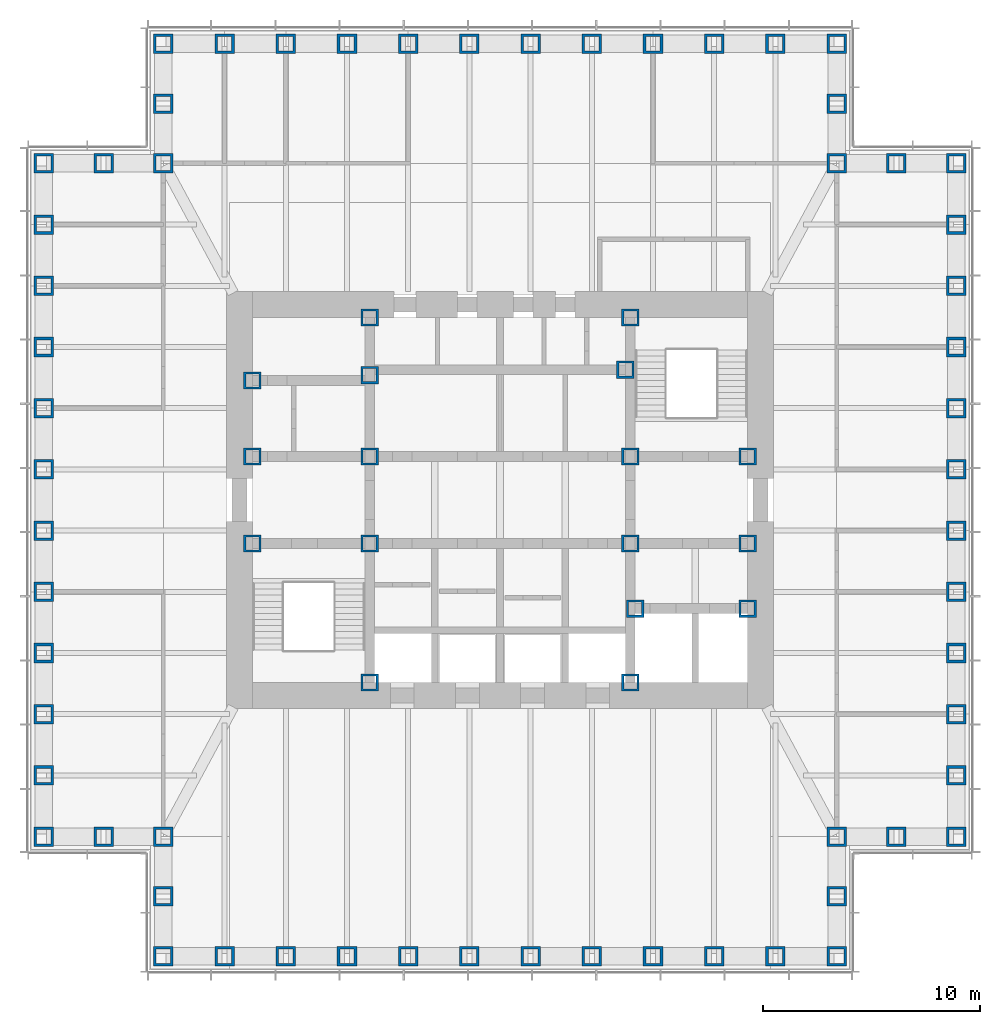
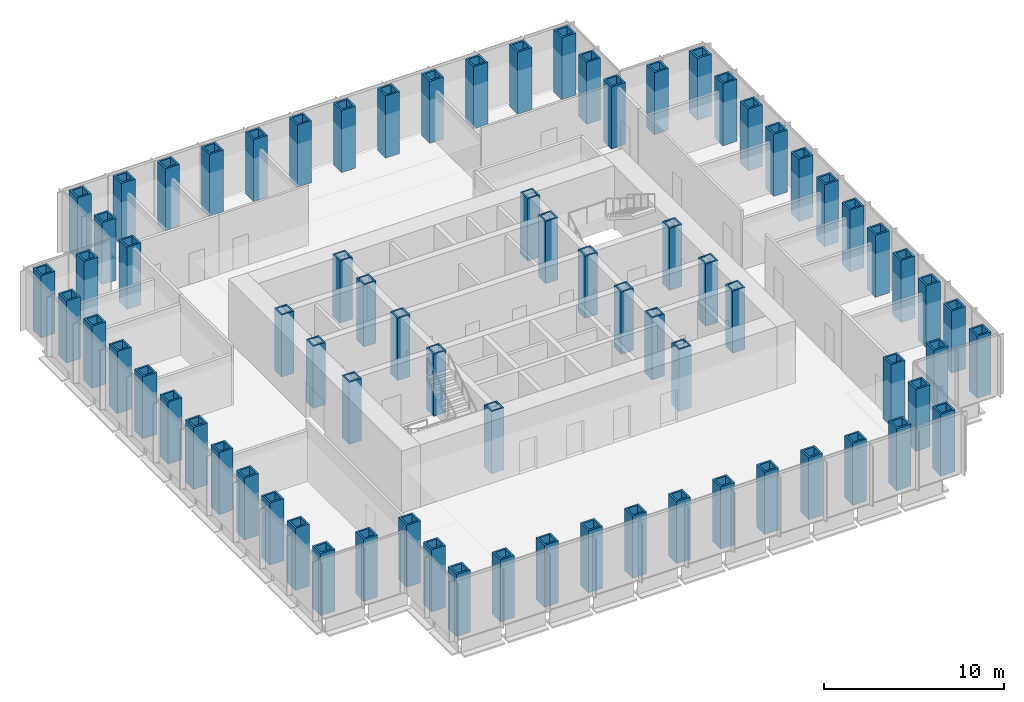
# One storey, part 1 of 16: 77 columns.
"""IFC4 building model written with IfcOpenShell, lengths in metres."""

from ifc_helpers import new_model, si_unit, direction, frame, origin, origin_2d, place, context, subcontext, project, spatial, hollow_rectangle, extrude, material, material_profile, profile_set, type_object, element, save


model = new_model("IFC4")

# Units and contexts
model_context = context("Model", 3, precision=1e-05, world=origin(), true_north=direction((0.0, 1.0)))
body_context = subcontext(model_context, "Body", "Model", "MODEL_VIEW")
ifc_project = project(units=[si_unit("LENGTHUNIT", "METRE"), si_unit("AREAUNIT", "SQUARE_METRE"), si_unit("VOLUMEUNIT", "CUBIC_METRE"), si_unit("PLANEANGLEUNIT", "RADIAN"), si_unit("MASSUNIT", "GRAM", prefix="KILO")], contexts=[model_context])

# Site, building, storey
site_placement = place(None, origin())
site = spatial("IfcSite", under=ifc_project, at=site_placement, CompositionType="ELEMENT")
building_placement = place(site_placement, origin())
building = spatial("IfcBuilding", under=site, at=building_placement, Name="Daluyong Arena Tower", CompositionType="ELEMENT")
storey_placement = place(building_placement, frame((0.0, 0.0, 210.699951171875)))
storey = spatial("IfcBuildingStorey", under=building, at=storey_placement, Name="L47", CompositionType="ELEMENT", Elevation=210.699951171875)

# Columns
ifc_material_1 = material(Name="Steel ASTM A572 Grade 50", Category="steel")
ifc_material_profile_1 = material_profile(ifc_material_1, hollow_rectangle(XDim=0.800048828125, YDim=0.800048828125, WallThickness=0.1, at=origin_2d()))
ifc_profile_set_1 = profile_set([ifc_material_profile_1], Name="Steel ASTM A572 Grade 50")
column_type_1 = type_object("IfcColumnType", Name="Core boundary column BX800X100", PredefinedType="COLUMN", material=ifc_profile_set_1)
for number, where, z_axis, x_axis, name in (
    (1, (44.60009765625, 78.0, 0.0), (0.0, 0.0, 1.0), (1.0, 0.0, 0.0), "core boundary column BC2"),
    (2, (44.60009765625, 82.0, 0.0), (0.0, 0.0, 1.0), (1.0, 0.0, 0.0), "core boundary column BC2"),
    (3, (44.60009765625, 85.5, 0.0), (0.0, 0.0, 1.0), (1.0, 0.0, 0.0), "core boundary column BC2"),
    (4, (50.0, 71.60009765625, 0.0), (0.0, 0.0, 1.0), (1.0, 0.0, 0.0), "core boundary column BC2"),
    (5, (50.0, 78.0, 0.0), (0.0, 0.0, 1.0), (1.0, 0.0, 0.0), "core boundary column BC2"),
    (6, (50.0, 82.0, 0.0), (0.0, 0.0, 1.0), (1.0, 0.0, 0.0), "core boundary column BC2"),
    (7, (50.0, 85.75, 0.0), (0.0, 0.0, 1.0), (1.0, 0.0, 0.0), "core boundary column BC2"),
    (8, (50.0, 88.39990234375, 0.0), (0.0, 0.0, 1.0), (1.0, 0.0, 0.0), "core boundary column BC2"),
    (9, (61.77490234375, 86.0, 0.0), (0.0, 0.0, 1.0), (1.0, 0.0, 0.0), "core boundary column BC2"),
    (10, (62.0, 71.60009765625, 0.0), (0.0, 0.0, 1.0), (1.0, 0.0, 0.0), "core boundary column BC2"),
    (11, (62.0, 78.0, 0.0), (0.0, 0.0, 1.0), (1.0, 0.0, 0.0), "core boundary column BC2"),
    (12, (62.0, 82.0, 0.0), (0.0, 0.0, 1.0), (1.0, 0.0, 0.0), "core boundary column BC2"),
    (13, (62.0, 88.39990234375, 0.0), (0.0, 0.0, 1.0), (1.0, 0.0, 0.0), "core boundary column BC2"),
    (14, (62.22509765625, 75.0, 0.0), (0.0, 0.0, 1.0), (1.0, 0.0, 0.0), "core boundary column BC2"),
    (15, (67.39990234375, 75.0, 0.0), (0.0, 0.0, 1.0), (1.0, 0.0, 0.0), "core boundary column BC2"),
    (16, (67.39990234375, 78.0, 0.0), (0.0, 0.0, 1.0), (1.0, 0.0, 0.0), "core boundary column BC2"),
    (17, (67.39990234375, 82.0, 0.0), (0.0, 0.0, 1.0), (1.0, 0.0, 0.0), "core boundary column BC2"),
):
    element("IfcColumn", number, at=place(storey_placement, frame(where, z_axis=z_axis, x_axis=x_axis)), inside=storey, type_object=column_type_1, Name=name, PredefinedType="COLUMN", context=body_context, shape_type="SweptSolid", body=[
        extrude(hollow_rectangle(XDim=0.800048828125, YDim=0.800048828125, WallThickness=0.1, at=origin_2d()), origin(), (0.0, 0.0, 1.0), 4.199951171875),
    ])
ifc_material_2 = material(Name="Steel ASTM A588 Grade 50", Category="steel")
ifc_material_profile_2 = material_profile(ifc_material_2, hollow_rectangle(XDim=0.89990234375, YDim=0.89990234375, WallThickness=0.12, at=origin_2d()))
ifc_profile_set_2 = profile_set([ifc_material_profile_2], Name="Steel ASTM A588 Grade 50")
column_type_2 = type_object("IfcColumnType", Name="Tube column BX900X120 BX900X120", PredefinedType="COLUMN", material=ifc_profile_set_2)
for number, where, z_axis, x_axis, name in (
    (18, (40.5, 59.0, 0.0), (0.0, 0.0, 1.0), (1.0, 0.0, 0.0), "tube column bx900x120 TC4"),
    (19, (43.318115234375, 59.0, 0.0), (0.0, 0.0, 1.0), (1.0, 0.0, 0.0), "tube column bx900x120 TC4"),
    (20, (46.136474609375, 59.0, 0.0), (0.0, 0.0, 1.0), (1.0, 0.0, 0.0), "tube column bx900x120 TC4"),
    (21, (48.95458984375, 59.0, 0.0), (0.0, 0.0, 1.0), (1.0, 0.0, 0.0), "tube column bx900x120 TC4"),
    (22, (51.772705078125, 59.0, 0.0), (0.0, 0.0, 1.0), (1.0, 0.0, 0.0), "tube column bx900x120 TC4"),
    (23, (54.5908203125, 59.0, 0.0), (0.0, 0.0, 1.0), (1.0, 0.0, 0.0), "tube column bx900x120 TC4"),
    (24, (57.4091796875, 59.0, 0.0), (0.0, 0.0, 1.0), (1.0, 0.0, 0.0), "tube column bx900x120 TC4"),
    (25, (60.227294921875, 59.0, 0.0), (0.0, 0.0, 1.0), (1.0, 0.0, 0.0), "tube column bx900x120 TC4"),
    (26, (63.04541015625, 59.0, 0.0), (0.0, 0.0, 1.0), (1.0, 0.0, 0.0), "tube column bx900x120 TC4"),
    (27, (65.863525390625, 59.0, 0.0), (0.0, 0.0, 1.0), (1.0, 0.0, 0.0), "tube column bx900x120 TC4"),
    (28, (68.681884765625, 59.0, 0.0), (0.0, 0.0, 1.0), (1.0, 0.0, 0.0), "tube column bx900x120 TC4"),
    (29, (71.5, 59.0, 0.0), (0.0, 0.0, 1.0), (0.0, 1.0, 0.0), "tube column bx900x120 TC4"),
    (30, (71.5, 61.75, 0.0), (0.0, 0.0, 1.0), (0.0, 1.0, 0.0), "tube column bx900x120 TC4"),
    (31, (71.5, 64.5, 0.0), (0.0, 0.0, 1.0), (1.0, 0.0, 0.0), "tube column bx900x120 TC4"),
    (32, (74.25, 64.5, 0.0), (0.0, 0.0, 1.0), (1.0, 0.0, 0.0), "tube column bx900x120 TC4"),
    (33, (77.0, 64.5, 0.0), (0.0, 0.0, 1.0), (0.0, 1.0, 0.0), "tube column bx900x120 TC4"),
    (34, (77.0, 67.318115234375, 0.0), (0.0, 0.0, 1.0), (0.0, 1.0, 0.0), "tube column bx900x120 TC4"),
    (35, (77.0, 70.136474609375, 0.0), (0.0, 0.0, 1.0), (0.0, 1.0, 0.0), "tube column bx900x120 TC4"),
    (36, (77.0, 72.95458984375, 0.0), (0.0, 0.0, 1.0), (0.0, 1.0, 0.0), "tube column bx900x120 TC4"),
    (37, (77.0, 75.772705078125, 0.0), (0.0, 0.0, 1.0), (0.0, 1.0, 0.0), "tube column bx900x120 TC4"),
    (38, (77.0, 78.5908203125, 0.0), (0.0, 0.0, 1.0), (0.0, 1.0, 0.0), "tube column bx900x120 TC4"),
    (39, (77.0, 81.4091796875, 0.0), (0.0, 0.0, 1.0), (0.0, 1.0, 0.0), "tube column bx900x120 TC4"),
    (40, (77.0, 84.227294921875, 0.0), (0.0, 0.0, 1.0), (0.0, 1.0, 0.0), "tube column bx900x120 TC4"),
    (41, (77.0, 87.04541015625, 0.0), (0.0, 0.0, 1.0), (0.0, 1.0, 0.0), "tube column bx900x120 TC4"),
    (42, (77.0, 89.863525390625, 0.0), (0.0, 0.0, 1.0), (0.0, 1.0, 0.0), "tube column bx900x120 TC4"),
    (43, (77.0, 92.681884765625, 0.0), (0.0, 0.0, 1.0), (0.0, 1.0, 0.0), "tube column bx900x120 TC4"),
    (44, (77.0, 95.5, 0.0), (0.0, 0.0, 1.0), (1.0, 0.0, 0.0), "tube column bx900x120 TC4"),
    (45, (74.25, 95.5, 0.0), (0.0, 0.0, 1.0), (1.0, 0.0, 0.0), "tube column bx900x120 TC4"),
    (46, (71.5, 95.5, 0.0), (0.0, 0.0, 1.0), (0.0, 1.0, 0.0), "tube column bx900x120 TC4"),
    (47, (71.5, 98.25, 0.0), (0.0, 0.0, 1.0), (0.0, 1.0, 0.0), "tube column bx900x120 TC4"),
    (48, (71.5, 101.0, 0.0), (0.0, 0.0, 1.0), (1.0, 0.0, 0.0), "tube column bx900x120 TC4"),
    (49, (68.681884765625, 101.0, 0.0), (0.0, 0.0, 1.0), (1.0, 0.0, 0.0), "tube column bx900x120 TC4"),
    (50, (65.863525390625, 101.0, 0.0), (0.0, 0.0, 1.0), (1.0, 0.0, 0.0), "tube column bx900x120 TC4"),
    (51, (63.04541015625, 101.0, 0.0), (0.0, 0.0, 1.0), (1.0, 0.0, 0.0), "tube column bx900x120 TC4"),
    (52, (60.227294921875, 101.0, 0.0), (0.0, 0.0, 1.0), (1.0, 0.0, 0.0), "tube column bx900x120 TC4"),
    (53, (57.4091796875, 101.0, 0.0), (0.0, 0.0, 1.0), (1.0, 0.0, 0.0), "tube column bx900x120 TC4"),
    (54, (54.5908203125, 101.0, 0.0), (0.0, 0.0, 1.0), (1.0, 0.0, 0.0), "tube column bx900x120 TC4"),
    (55, (51.772705078125, 101.0, 0.0), (0.0, 0.0, 1.0), (1.0, 0.0, 0.0), "tube column bx900x120 TC4"),
    (56, (48.95458984375, 101.0, 0.0), (0.0, 0.0, 1.0), (1.0, 0.0, 0.0), "tube column bx900x120 TC4"),
    (57, (46.136474609375, 101.0, 0.0), (0.0, 0.0, 1.0), (1.0, 0.0, 0.0), "tube column bx900x120 TC4"),
    (58, (43.318115234375, 101.0, 0.0), (0.0, 0.0, 1.0), (1.0, 0.0, 0.0), "tube column bx900x120 TC4"),
    (59, (40.5, 101.0, 0.0), (0.0, 0.0, 1.0), (0.0, 1.0, 0.0), "tube column bx900x120 TC4"),
    (60, (40.5, 98.25, 0.0), (0.0, 0.0, 1.0), (0.0, 1.0, 0.0), "tube column bx900x120 TC4"),
    (61, (40.5, 95.5, 0.0), (0.0, 0.0, 1.0), (1.0, 0.0, 0.0), "tube column bx900x120 TC4"),
    (62, (37.75, 95.5, 0.0), (0.0, 0.0, 1.0), (1.0, 0.0, 0.0), "tube column bx900x120 TC4"),
    (63, (35.0, 95.5, 0.0), (0.0, 0.0, 1.0), (0.0, 1.0, 0.0), "tube column bx900x120 TC4"),
    (64, (35.0, 92.681884765625, 0.0), (0.0, 0.0, 1.0), (0.0, 1.0, 0.0), "tube column bx900x120 TC4"),
    (65, (35.0, 89.863525390625, 0.0), (0.0, 0.0, 1.0), (0.0, 1.0, 0.0), "tube column bx900x120 TC4"),
    (66, (35.0, 87.04541015625, 0.0), (0.0, 0.0, 1.0), (0.0, 1.0, 0.0), "tube column bx900x120 TC4"),
    (67, (35.0, 84.227294921875, 0.0), (0.0, 0.0, 1.0), (0.0, 1.0, 0.0), "tube column bx900x120 TC4"),
    (68, (35.0, 81.4091796875, 0.0), (0.0, 0.0, 1.0), (0.0, 1.0, 0.0), "tube column bx900x120 TC4"),
    (69, (35.0, 78.5908203125, 0.0), (0.0, 0.0, 1.0), (0.0, 1.0, 0.0), "tube column bx900x120 TC4"),
    (70, (35.0, 75.772705078125, 0.0), (0.0, 0.0, 1.0), (0.0, 1.0, 0.0), "tube column bx900x120 TC4"),
    (71, (35.0, 72.95458984375, 0.0), (0.0, 0.0, 1.0), (0.0, 1.0, 0.0), "tube column bx900x120 TC4"),
    (72, (35.0, 70.136474609375, 0.0), (0.0, 0.0, 1.0), (0.0, 1.0, 0.0), "tube column bx900x120 TC4"),
    (73, (35.0, 67.318115234375, 0.0), (0.0, 0.0, 1.0), (0.0, 1.0, 0.0), "tube column bx900x120 TC4"),
    (74, (35.0, 64.5, 0.0), (0.0, 0.0, 1.0), (1.0, 0.0, 0.0), "tube column bx900x120 TC4"),
    (75, (37.75, 64.5, 0.0), (0.0, 0.0, 1.0), (1.0, 0.0, 0.0), "tube column bx900x120 TC4"),
    (76, (40.5, 64.5, 0.0), (0.0, 0.0, 1.0), (0.0, 1.0, 0.0), "tube column bx900x120 TC4"),
    (77, (40.5, 61.75, 0.0), (0.0, 0.0, 1.0), (0.0, 1.0, 0.0), "tube column bx900x120 TC4"),
):
    element("IfcColumn", number, at=place(storey_placement, frame(where, z_axis=z_axis, x_axis=x_axis)), inside=storey, type_object=column_type_2, Name=name, PredefinedType="COLUMN", context=body_context, shape_type="SweptSolid", body=[
        extrude(hollow_rectangle(XDim=0.89990234375, YDim=0.89990234375, WallThickness=0.12, at=origin_2d()), origin(), (0.0, 0.0, 1.0), 4.199951171875),
    ])

save(model, "model.ifc")
